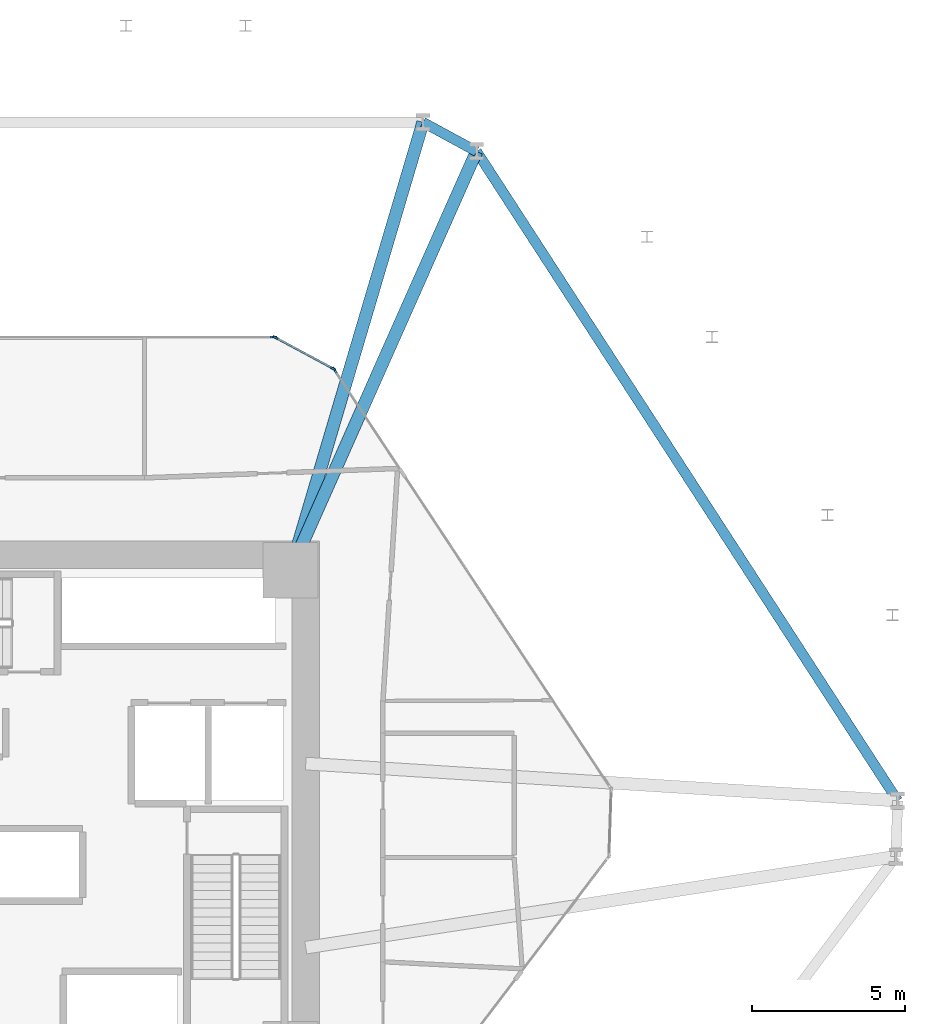
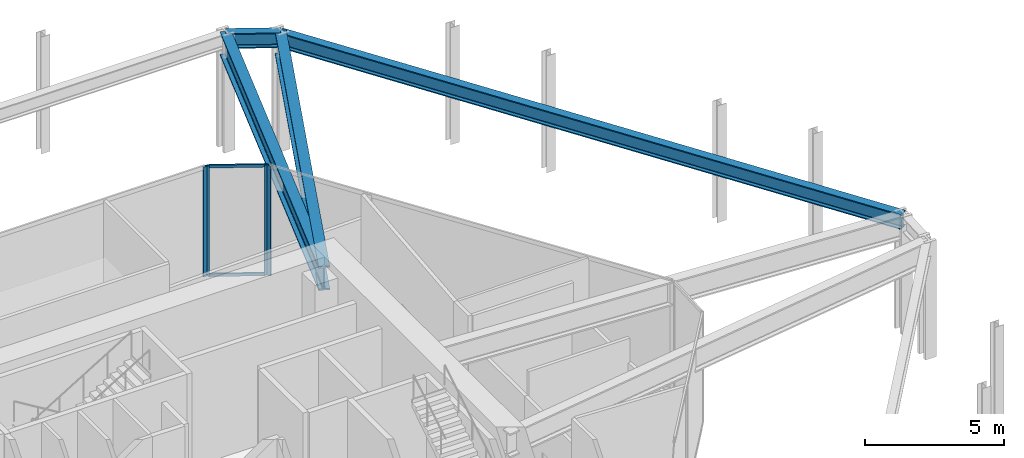
# One storey, part 11 of 16: 6 members, 4 beams, 3 elements without a shape of their own.
"""IFC4 building model written with IfcOpenShell, lengths in metres."""

from ifc_helpers import new_model, si_unit, direction, frame, origin, origin_2d, place, context, subcontext, project, spatial, rectangle, i_section, extrude, source, transform, mapped, material, layer, layer_set, material_profile, profile_set, type_object, type_shapes, element, aggregate, save


model = new_model("IFC4")

# Units and contexts
model_context = context("Model", 3, precision=1e-05, world=origin(), true_north=direction((0.0, 1.0)))
body_context = subcontext(model_context, "Body", "Model", "MODEL_VIEW")
ifc_project = project(units=[si_unit("LENGTHUNIT", "METRE"), si_unit("AREAUNIT", "SQUARE_METRE"), si_unit("VOLUMEUNIT", "CUBIC_METRE"), si_unit("PLANEANGLEUNIT", "RADIAN"), si_unit("MASSUNIT", "GRAM", prefix="KILO")], contexts=[model_context])

# Site, building, storey
site_placement = place(None, origin())
site = spatial("IfcSite", under=ifc_project, at=site_placement, CompositionType="ELEMENT")
building_placement = place(site_placement, origin())
building = spatial("IfcBuilding", under=site, at=building_placement, Name="Durnholm Broadcast Tower", CompositionType="ELEMENT")
storey_placement = place(building_placement, frame((0.0, 0.0, 5.199951171875)))
storey = spatial("IfcBuildingStorey", under=building, at=storey_placement, Name="L01", CompositionType="ELEMENT", Elevation=5.199951171875)

# Beams
ifc_material_1 = material(Name="Steel ASTM A992 Grade 50", Category="steel")
ifc_material_profile_1 = material_profile(ifc_material_1, i_section(OverallWidth=0.3330078125, OverallDepth=0.660888671875, WebThickness=0.0244140625, FlangeThickness=0.0439453125, FilletRadius=0.02783203125, at=origin_2d()), Name="W24X229")
ifc_profile_set_1 = profile_set([ifc_material_profile_1], Name="Steel ASTM A992 Grade 50")
beam_type_1 = type_object("IfcBeamType", Name="STL-SP-W24X229", PredefinedType="SPANDREL", material=ifc_profile_set_1)
shared_shape_1 = source(origin(), body_context, "Body", "SweptSolid", [
    extrude(i_section(OverallWidth=0.3330078125, OverallDepth=0.660888671875, WebThickness=0.0244140625, FlangeThickness=0.0439453125, FilletRadius=0.02783203125, at=origin_2d()), origin(), (0.0, 0.0, 1.0), 25.22265625),
])
beam_1_placement = place(storey_placement, frame((15.866455078125, 21.45068359375, 4.504638671875), z_axis=(0.544117081794, -0.839009297505, 0.0), x_axis=(0.839009297505, 0.544117081794, 0.0)))
element("IfcBeam", 1, at=beam_1_placement, inside=storey, type_object=beam_type_1, Name="L01 perimeter spandrel girder 07", PredefinedType="SPANDREL", context=body_context, shape_type="MappedRepresentation", body=[
    mapped(shared_shape_1, transform((0.0, 0.0, 0.0), x_axis=(1.0, 0.0, 0.0), y_axis=(0.0, 1.0, 0.0), z_axis=(0.0, 0.0, 1.0), scale=1.0)),
])
shared_shape_2 = source(origin(), body_context, "Body", "SweptSolid", [
    extrude(i_section(OverallWidth=0.3330078125, OverallDepth=0.660888671875, WebThickness=0.0244140625, FlangeThickness=0.0439453125, FilletRadius=0.02783203125, at=origin_2d()), origin(), (0.0, 0.0, 1.0), 1.98828125),
])
type_shapes(beam_type_1, [shared_shape_1, shared_shape_2])
beam_2_placement = place(storey_placement, frame((14.119384765625, 22.39990234375, 4.504638671875), z_axis=(0.878682739647, -0.477406161508, 0.0), x_axis=(0.477406161508, 0.878682739647, 0.0)))
element("IfcBeam", 2, at=beam_2_placement, inside=storey, type_object=beam_type_1, Name="L01 perimeter spandrel girder 06", PredefinedType="SPANDREL", context=body_context, shape_type="MappedRepresentation", body=[
    mapped(shared_shape_2, transform((0.0, 0.0, 0.0), x_axis=(1.0, 0.0, 0.0), y_axis=(0.0, 1.0, 0.0), z_axis=(0.0, 0.0, 1.0), scale=1.0)),
])
ifc_material_profile_2 = material_profile(ifc_material_1, i_section(OverallWidth=0.412109375, OverallDepth=1.048095703125, WebThickness=0.033935546875, FlangeThickness=0.059814453125, FilletRadius=0.04052734375, at=origin_2d()), Name="W40X431")
ifc_profile_set_2 = profile_set([ifc_material_profile_2], Name="Steel ASTM A992 Grade 50")
beam_type_2 = type_object("IfcBeamType", Name="STL-TG-W40X431", PredefinedType="USERDEFINED", material=ifc_profile_set_2)
shared_shape_3 = source(origin(), body_context, "Body", "SweptSolid", [
    extrude(i_section(OverallWidth=0.412109375, OverallDepth=1.048095703125, WebThickness=0.033935546875, FlangeThickness=0.059814453125, FilletRadius=0.04052734375, at=origin_2d()), origin(), (0.0, 0.0, 1.0), 15.225341796875),
])
beam_3_placement = place(storey_placement, frame((9.800048828125, 7.800048828125, 4.31103515625), z_axis=(0.283693029157, 0.958915150161, 0.0), x_axis=(-0.958915150161, 0.283693029157, 0.0)))
element("IfcBeam", 3, at=beam_3_placement, inside=storey, type_object=beam_type_2, Name="L01 radial primary floor girder 06", ObjectType="GIRDER", PredefinedType="USERDEFINED", context=body_context, shape_type="MappedRepresentation", body=[
    mapped(shared_shape_3, transform((0.0, 0.0, 0.0), x_axis=(1.0, 0.0, 0.0), y_axis=(0.0, 1.0, 0.0), z_axis=(0.0, 0.0, 1.0), scale=1.0)),
])
shared_shape_4 = source(origin(), body_context, "Body", "SweptSolid", [
    extrude(i_section(OverallWidth=0.412109375, OverallDepth=1.048095703125, WebThickness=0.033935546875, FlangeThickness=0.059814453125, FilletRadius=0.04052734375, at=origin_2d()), origin(), (0.0, 0.0, 1.0), 14.93798828125),
])
type_shapes(beam_type_2, [shared_shape_3, shared_shape_4])
beam_4_placement = place(storey_placement, frame((9.800048828125, 7.800048828125, 4.31103515625), z_axis=(0.406108137323, 0.913825027453, 0.0), x_axis=(-0.913825027453, 0.406108137323, 0.0)))
element("IfcBeam", 4, at=beam_4_placement, inside=storey, type_object=beam_type_2, Name="L01 radial primary floor girder 07", ObjectType="GIRDER", PredefinedType="USERDEFINED", context=body_context, shape_type="MappedRepresentation", body=[
    mapped(shared_shape_4, transform((0.0, 0.0, 0.0), x_axis=(1.0, 0.0, 0.0), y_axis=(0.0, 1.0, 0.0), z_axis=(0.0, 0.0, 1.0), scale=1.0)),
])

# Curtain wall, members
ifc_material_2 = material(Name="Aluminium and Solar Control IGU", Category="aluminium")
ifc_layer_1 = layer(ifc_material_2, 0.1650390625)
ifc_layer_set_1 = layer_set([ifc_layer_1], Name="Aluminium and Solar Control IGU")
curtain_wall_type_1 = type_object("IfcCurtainWallType", Name="CW-SYS-5", PredefinedType="NOTDEFINED", material=ifc_layer_set_1)
curtain_wall_1_placement = place(storey_placement, origin())
curtain_wall_1 = element("IfcCurtainWall", 5, at=curtain_wall_1_placement, inside=storey, type_object=curtain_wall_type_1, Name="L01 curtain wall CW-CORNER CW-L01-CRN-05", PredefinedType="NOTDEFINED")
ifc_material_3 = material(Name="Aluminium 6063-T6", Category="aluminium")
ifc_material_profile_3 = material_profile(ifc_material_3, rectangle(XDim=0.06494140625, YDim=0.1298828125, at=origin_2d()), Name="CWT65X130")
ifc_profile_set_3 = profile_set([ifc_material_profile_3], Name="Aluminium 6063-T6")
member_type_1 = type_object("IfcMemberType", Name="CW-SYS-5-TRN", PredefinedType="USERDEFINED", material=ifc_profile_set_3)
shared_shape_5 = source(origin(), body_context, "Body", "SweptSolid", [
    extrude(rectangle(XDim=0.06494140625, YDim=0.1298828125, at=origin_2d()), origin(), (0.0, 0.0, 1.0), 2.06982421875),
])
type_shapes(member_type_1, [shared_shape_5])
member_1_placement = place(storey_placement, frame((9.3408203125, 15.369140625, 0.032470703125), z_axis=(0.880626337544, -0.473811411454, 0.0), x_axis=(0.473811411454, 0.880626337544, 0.0)))
member_1 = element("IfcMember", 6, at=member_1_placement, type_object=member_type_1, Name="CW-CORNER transom 1.1", ObjectType="TRANSOM", PredefinedType="USERDEFINED", context=body_context, shape_type="MappedRepresentation", body=[
    mapped(shared_shape_5, transform((0.0, 0.0, 0.0), x_axis=(1.0, 0.0, 0.0), y_axis=(0.0, 1.0, 0.0), z_axis=(0.0, 0.0, 1.0), scale=1.0)),
])
member_2_placement = place(storey_placement, frame((9.3408203125, 15.369140625, 4.817626953125), z_axis=(0.880626337544, -0.473811411454, 0.0), x_axis=(0.473811411454, 0.880626337544, 0.0)))
member_2 = element("IfcMember", 7, at=member_2_placement, type_object=member_type_1, Name="CW-CORNER transom 1.2", ObjectType="TRANSOM", PredefinedType="USERDEFINED", context=body_context, shape_type="MappedRepresentation", body=[
    mapped(shared_shape_5, transform((0.0, 0.0, 0.0), x_axis=(1.0, 0.0, 0.0), y_axis=(0.0, 1.0, 0.0), z_axis=(0.0, 0.0, 1.0), scale=1.0)),
])
ifc_material_profile_4 = material_profile(ifc_material_3, rectangle(XDim=0.06494140625, YDim=0.1650390625, at=origin_2d()), Name="CWM65X165")
ifc_profile_set_4 = profile_set([ifc_material_profile_4], Name="Aluminium 6063-T6")
member_type_2 = type_object("IfcMemberType", Name="CW-SYS-5-MUL", PredefinedType="MULLION", material=ifc_profile_set_4)
shared_shape_6 = source(origin(), body_context, "Body", "SweptSolid", [
    extrude(rectangle(XDim=0.06494140625, YDim=0.1650390625, at=origin_2d()), origin(), (0.0, 0.0, 1.0), 4.85009765625),
])
type_shapes(member_type_2, [shared_shape_6])
member_3_placement = place(storey_placement, frame((9.31201171875, 15.384521484375, 0.0), z_axis=(0.0, 0.0, 1.0), x_axis=(0.473812478484, 0.880625763439, 0.0)))
member_3 = element("IfcMember", 8, at=member_3_placement, type_object=member_type_2, Name="CW-CORNER mullion 1", PredefinedType="MULLION", context=body_context, shape_type="MappedRepresentation", body=[
    mapped(shared_shape_6, transform((0.0, 0.0, 0.0), x_axis=(1.0, 0.0, 0.0), y_axis=(0.0, 1.0, 0.0), z_axis=(0.0, 0.0, 1.0), scale=1.0)),
])
member_4_placement = place(storey_placement, frame((11.1923828125, 14.373046875, 0.0), z_axis=(0.0, 0.0, 1.0), x_axis=(0.473812478484, 0.880625763439, 0.0)))
member_4 = element("IfcMember", 9, at=member_4_placement, type_object=member_type_2, Name="CW-CORNER mullion 2", PredefinedType="MULLION", context=body_context, shape_type="MappedRepresentation", body=[
    mapped(shared_shape_6, transform((0.0, 0.0, 0.0), x_axis=(1.0, 0.0, 0.0), y_axis=(0.0, 1.0, 0.0), z_axis=(0.0, 0.0, 1.0), scale=1.0)),
])
aggregate(curtain_wall_1, [member_3, member_4, member_1, member_2])

# Curtain wall, member
ifc_layer_2 = layer(ifc_material_2, 0.219970703125)
ifc_layer_set_2 = layer_set([ifc_layer_2], Name="Aluminium and Solar Control IGU")
curtain_wall_type_2 = type_object("IfcCurtainWallType", Name="CW-SYS-1", PredefinedType="NOTDEFINED", material=ifc_layer_set_2)
curtain_wall_2_placement = place(storey_placement, origin())
curtain_wall_2 = element("IfcCurtainWall", 10, at=curtain_wall_2_placement, inside=storey, type_object=curtain_wall_type_2, Name="L01 curtain wall CW-LOBBY CW-L01-F04", PredefinedType="NOTDEFINED")
ifc_material_profile_5 = material_profile(ifc_material_3, rectangle(XDim=0.074951171875, YDim=0.219970703125, at=origin_2d()), Name="CWM75X220")
ifc_profile_set_5 = profile_set([ifc_material_profile_5], Name="Aluminium 6063-T6")
member_type_3 = type_object("IfcMemberType", Name="CW-SYS-1-MUL", PredefinedType="MULLION", material=ifc_profile_set_5)
shared_shape_7 = source(origin(), body_context, "Body", "SweptSolid", [
    extrude(rectangle(XDim=0.074951171875, YDim=0.219970703125, at=origin_2d()), origin(), (0.0, 0.0, 1.0), 4.85009765625),
])
type_shapes(member_type_3, [shared_shape_7])
member_5_placement = place(storey_placement, frame((9.24609375, 15.39990234375, 0.0), z_axis=(0.0, 0.0, 1.0), x_axis=(0.0, 1.0, 0.0)))
member_5 = element("IfcMember", 11, at=member_5_placement, type_object=member_type_3, Name="CW-LOBBY mullion 2", PredefinedType="MULLION", context=body_context, shape_type="MappedRepresentation", body=[
    mapped(shared_shape_7, transform((0.0, 0.0, 0.0), x_axis=(1.0, 0.0, 0.0), y_axis=(0.0, 1.0, 0.0), z_axis=(0.0, 0.0, 1.0), scale=1.0)),
])
aggregate(curtain_wall_2, [member_5])

curtain_wall_3_placement = place(storey_placement, origin())
curtain_wall_3 = element("IfcCurtainWall", 12, at=curtain_wall_3_placement, inside=storey, type_object=curtain_wall_type_2, Name="L01 curtain wall CW-LOBBY CW-L01-F06", PredefinedType="NOTDEFINED")
member_6_placement = place(storey_placement, frame((11.241455078125, 14.326416015625, 0.0), z_axis=(0.0, 0.0, 1.0), x_axis=(0.834496352934, 0.551013463483, 0.0)))
member_6 = element("IfcMember", 13, at=member_6_placement, type_object=member_type_3, Name="CW-LOBBY mullion 1", PredefinedType="MULLION", context=body_context, shape_type="MappedRepresentation", body=[
    mapped(shared_shape_7, transform((0.0, 0.0, 0.0), x_axis=(1.0, 0.0, 0.0), y_axis=(0.0, 1.0, 0.0), z_axis=(0.0, 0.0, 1.0), scale=1.0)),
])
aggregate(curtain_wall_3, [member_6])

save(model, "model.ifc")
